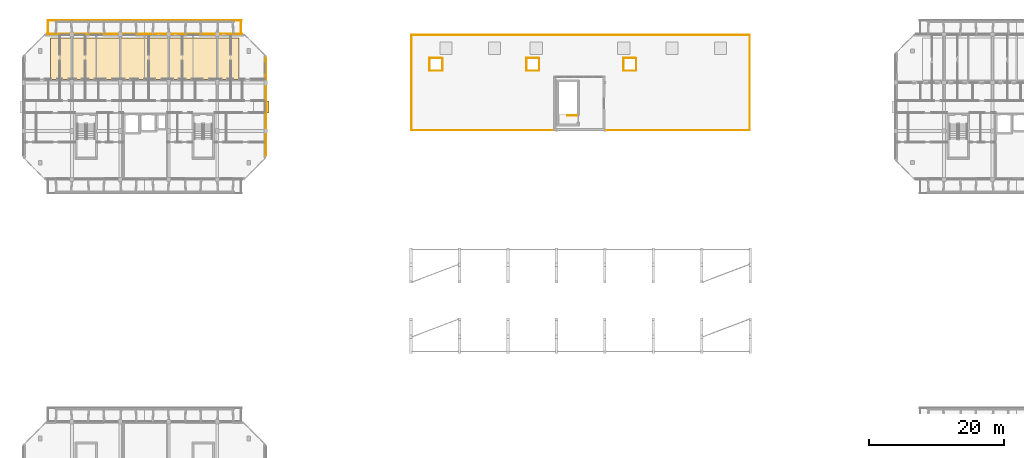
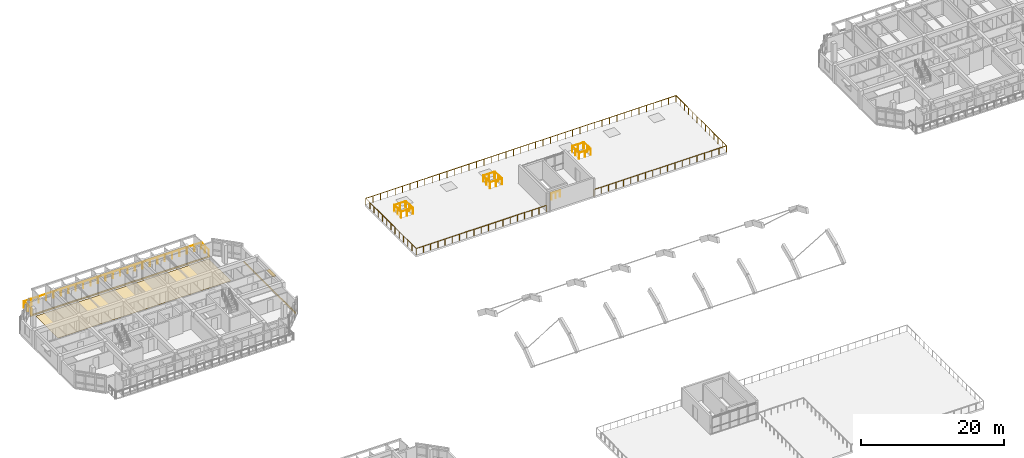
# One storey, part 58 of 64: 11 railings, 3 coverings, 1 shading device.
"""IFC4 building model written with IfcOpenShell, lengths in metres."""

from ifc_helpers import new_model, si_unit, direction, frame, origin, origin_2d, place, context, subcontext, project, spatial, polyline, rectangle, circle, outline, extrude, material, layer, layer_set, type_object, element, save


model = new_model("IFC4")

# Units and contexts
model_context = context("Model", 3, precision=1e-05, world=origin(), true_north=direction((0.0, 1.0)))
body_context = subcontext(model_context, "Body", "Model", "MODEL_VIEW")
ifc_project = project(units=[si_unit("LENGTHUNIT", "METRE"), si_unit("AREAUNIT", "SQUARE_METRE"), si_unit("VOLUMEUNIT", "CUBIC_METRE"), si_unit("PLANEANGLEUNIT", "RADIAN"), si_unit("MASSUNIT", "GRAM", prefix="KILO")], contexts=[model_context])

# Site, building, storey
site_placement = place(None, origin())
site = spatial("IfcSite", under=ifc_project, at=site_placement, CompositionType="ELEMENT")
building_placement = place(site_placement, origin())
building = spatial("IfcBuilding", under=site, at=building_placement, Name="Ochrevale Crest", CompositionType="ELEMENT")
storey_placement = place(building_placement, frame((0.0, 0.0, 8.699951171875)))
storey = spatial("IfcBuildingStorey", under=building, at=storey_placement, Name="L02", CompositionType="ELEMENT", Elevation=8.699951171875)

# Coverings
ifc_material_1 = material(Name="Glazed terracotta rainscreen tile", Category="masonry")
ifc_layer_1 = layer(ifc_material_1, 0.048095703125)
ifc_layer_set_1 = layer_set([ifc_layer_1], Name="Glazed terracotta rainscreen tile")
covering_type_1 = type_object("IfcCoveringType", Name="COV-CLAD-TER", PredefinedType="CLADDING", material=ifc_layer_set_1)
covering_1_placement = place(storey_placement, frame((36.014404296875, 82.800048828125, -0.259765625), z_axis=(0.0, 0.0, 1.0), x_axis=(0.0, 1.0, 0.0)))
element("IfcCovering", 1, at=covering_1_placement, inside=storey, type_object=covering_type_1, Name="Block B L02 terracotta slab-edge spandrel cladding", PredefinedType="CLADDING", context=body_context, shape_type="SweptSolid", body=[
    extrude(rectangle(XDim=14.60009765625, YDim=0.06005859375, at=origin_2d()), origin(), (0.0, 0.0, 1.0), 0.280029296875),
])
covering_2_placement = place(storey_placement, frame((18.0, 93.612548828125, -0.259765625), z_axis=(0.0, 0.0, 1.0), x_axis=(-1.0, 0.0, 0.0)))
element("IfcCovering", 2, at=covering_2_placement, inside=storey, type_object=covering_type_1, Name="Block B L02 terracotta slab-edge spandrel cladding", PredefinedType="CLADDING", context=body_context, shape_type="SweptSolid", body=[
    extrude(rectangle(XDim=29.0, YDim=0.06005859375, at=origin_2d()), origin(), (0.0, 0.0, 1.0), 0.280029296875),
])
ifc_material_2 = material(Name="Engineered spotted-gum hardwood flooring", Category="wood")
ifc_layer_2 = layer(ifc_material_2, 0.02001953125)
ifc_layer_set_2 = layer_set([ifc_layer_2], Name="Engineered spotted-gum hardwood flooring")
covering_type_2 = type_object("IfcCoveringType", Name="COV-FLR-TIM", PredefinedType="FLOORING", material=ifc_layer_set_2)
covering_3_placement = place(storey_placement, origin())
element("IfcCovering", 3, at=covering_3_placement, inside=storey, type_object=covering_type_2, Name="Block B L02 spotted-gum apartment flooring", PredefinedType="FLOORING", context=body_context, shape_type="SweptSolid", body=[
    extrude(outline(polyline([(4.0, 86.800048828125), (32.0, 86.800048828125), (32.0, 93.0), (4.0, 93.0), (4.0, 86.800048828125)])), origin(), (0.0, 0.0, 1.0), 0.02001953125),
])

# Railings
ifc_material_3 = material(Name="Galvanised steel", Category="steel")
railing_type_1 = type_object("IfcRailingType", Name="RL-BAL-1100", PredefinedType="BALUSTRADE", material=ifc_material_3)
railing_1_placement = place(storey_placement, frame((3.60009765625, 95.639892578125, 0.0)))
element("IfcRailing", 4, at=railing_1_placement, inside=storey, type_object=railing_type_1, Name="Block B L02 N balcony front balustrade", PredefinedType="BALUSTRADE", context=body_context, shape_type="SweptSolid", body=[
    extrude(circle(Radius=0.02392578125, at=origin_2d()), frame((0.0, 0.0, 1.0859375), z_axis=(1.0, 0.0, 0.0), x_axis=(0.0, 1.0, 0.0)), (0.0, 0.0, 1.0), 28.7998046875),
    extrude(circle(Radius=0.02099609375, at=origin_2d()), origin(), (0.0, 0.0, 1.0), 1.06201171875),
    extrude(circle(Radius=0.02099609375, at=origin_2d()), frame((1.199951171875, 0.0, 0.0)), (0.0, 0.0, 1.0), 1.06201171875),
    extrude(circle(Radius=0.02099609375, at=origin_2d()), frame((2.39990234375, 0.0, 0.0)), (0.0, 0.0, 1.0), 1.06201171875),
    extrude(circle(Radius=0.02099609375, at=origin_2d()), frame((3.60009765625, 0.0, 0.0)), (0.0, 0.0, 1.0), 1.06201171875),
    extrude(circle(Radius=0.02099609375, at=origin_2d()), frame((4.800048828125, 0.0, 0.0)), (0.0, 0.0, 1.0), 1.06201171875),
    extrude(circle(Radius=0.02099609375, at=origin_2d()), frame((6.0, 0.0, 0.0)), (0.0, 0.0, 1.0), 1.06201171875),
    extrude(circle(Radius=0.02099609375, at=origin_2d()), frame((7.199951171875, 0.0, 0.0)), (0.0, 0.0, 1.0), 1.06201171875),
    extrude(circle(Radius=0.02099609375, at=origin_2d()), frame((8.39990234375, 0.0, 0.0)), (0.0, 0.0, 1.0), 1.06201171875),
    extrude(circle(Radius=0.02099609375, at=origin_2d()), frame((9.599853515625, 0.0, 0.0)), (0.0, 0.0, 1.0), 1.06201171875),
    extrude(circle(Radius=0.02099609375, at=origin_2d()), frame((10.7998046875, 0.0, 0.0)), (0.0, 0.0, 1.0), 1.06201171875),
    extrude(circle(Radius=0.02099609375, at=origin_2d()), frame((12.0, 0.0, 0.0)), (0.0, 0.0, 1.0), 1.06201171875),
    extrude(circle(Radius=0.02099609375, at=origin_2d()), frame((13.199951171875, 0.0, 0.0)), (0.0, 0.0, 1.0), 1.06201171875),
    extrude(circle(Radius=0.02099609375, at=origin_2d()), frame((14.39990234375, 0.0, 0.0)), (0.0, 0.0, 1.0), 1.06201171875),
    extrude(circle(Radius=0.02099609375, at=origin_2d()), frame((15.599853515625, 0.0, 0.0)), (0.0, 0.0, 1.0), 1.06201171875),
    extrude(circle(Radius=0.02099609375, at=origin_2d()), frame((16.7998046875, 0.0, 0.0)), (0.0, 0.0, 1.0), 1.06201171875),
    extrude(circle(Radius=0.02099609375, at=origin_2d()), frame((18.0, 0.0, 0.0)), (0.0, 0.0, 1.0), 1.06201171875),
    extrude(circle(Radius=0.02099609375, at=origin_2d()), frame((19.199951171875, 0.0, 0.0)), (0.0, 0.0, 1.0), 1.06201171875),
    extrude(circle(Radius=0.02099609375, at=origin_2d()), frame((20.39990234375, 0.0, 0.0)), (0.0, 0.0, 1.0), 1.06201171875),
    extrude(circle(Radius=0.02099609375, at=origin_2d()), frame((21.599853515625, 0.0, 0.0)), (0.0, 0.0, 1.0), 1.06201171875),
    extrude(circle(Radius=0.02099609375, at=origin_2d()), frame((22.7998046875, 0.0, 0.0)), (0.0, 0.0, 1.0), 1.06201171875),
    extrude(circle(Radius=0.02099609375, at=origin_2d()), frame((23.999755859375, 0.0, 0.0)), (0.0, 0.0, 1.0), 1.06201171875),
    extrude(circle(Radius=0.02099609375, at=origin_2d()), frame((25.19970703125, 0.0, 0.0)), (0.0, 0.0, 1.0), 1.06201171875),
    extrude(circle(Radius=0.02099609375, at=origin_2d()), frame((26.39990234375, 0.0, 0.0)), (0.0, 0.0, 1.0), 1.06201171875),
    extrude(circle(Radius=0.02099609375, at=origin_2d()), frame((27.599853515625, 0.0, 0.0)), (0.0, 0.0, 1.0), 1.06201171875),
    extrude(circle(Radius=0.02099609375, at=origin_2d()), frame((28.7998046875, 0.0, 0.0)), (0.0, 0.0, 1.0), 1.06201171875),
])
for number, where, name in (
    (5, (3.659912109375, 93.60009765625, 0.0), "Block B L02 N-W balcony side guard"),
    (6, (32.340087890625, 93.60009765625, 0.0), "Block B L02 N-E balcony side guard"),
):
    element("IfcRailing", number, at=place(storey_placement, frame(where)), inside=storey, type_object=railing_type_1, Name=name, PredefinedType="BALUSTRADE", context=body_context, shape_type="SweptSolid", body=[
        extrude(circle(Radius=0.02392578125, at=origin_2d()), frame((0.0, 0.0, 1.0859375), z_axis=(0.0, 1.0, 0.0), x_axis=(-1.0, 0.0, 0.0)), (0.0, 0.0, 1.0), 2.039794921875),
        extrude(circle(Radius=0.02099609375, at=origin_2d()), origin(), (0.0, 0.0, 1.0), 1.06201171875),
        extrude(circle(Radius=0.02099609375, at=origin_2d()), frame((0.0, 1.02001953125, 0.0)), (0.0, 0.0, 1.0), 1.06201171875),
        extrude(circle(Radius=0.02099609375, at=origin_2d()), frame((0.0, 2.039794921875, 0.0)), (0.0, 0.0, 1.0), 1.06201171875),
    ])
railing_type_2 = type_object("IfcRailingType", Name="RL-ST-GUARD", PredefinedType="BALUSTRADE", material=ifc_material_3)
railing_2_placement = place(storey_placement, frame((82.25, 81.52490234375, 0.0)))
element("IfcRailing", 7, at=railing_2_placement, inside=storey, type_object=railing_type_2, Name="L02 ST-N1 top well guard 1", PredefinedType="BALUSTRADE", context=body_context, shape_type="SweptSolid", body=[
    extrude(circle(Radius=0.02392578125, at=origin_2d()), frame((0.0, 0.0, 1.076171875), z_axis=(-1.0, 0.0, 0.0), x_axis=(0.0, -1.0, 0.0)), (0.0, 0.0, 1.0), 1.39990234375),
    extrude(circle(Radius=0.02099609375, at=origin_2d()), origin(), (0.0, 0.0, 1.0), 1.052001953125),
    extrude(circle(Radius=0.02099609375, at=origin_2d()), frame((-0.699951171875, 0.0, 0.0)), (0.0, 0.0, 1.0), 1.052001953125),
    extrude(circle(Radius=0.02099609375, at=origin_2d()), frame((-1.39990234375, 0.0, 0.0)), (0.0, 0.0, 1.0), 1.052001953125),
])
railing_type_3 = type_object("IfcRailingType", Name="RL-TER-1120", PredefinedType="BALUSTRADE", material=ifc_material_3)
railing_3_placement = place(storey_placement, frame((60.35009765625, 88.14990234375, 0.0)))
element("IfcRailing", 8, at=railing_3_placement, inside=storey, type_object=railing_type_3, Name="Nursery roof-garden lightwell guard 1A", PredefinedType="BALUSTRADE", context=body_context, shape_type="SweptSolid", body=[
    extrude(circle(Radius=0.02392578125, at=origin_2d()), frame((0.0, 0.0, 1.09619140625), z_axis=(1.0, 0.0, 0.0), x_axis=(0.0, 1.0, 0.0)), (0.0, 0.0, 1.0), 1.89990234375),
    extrude(circle(Radius=0.02392578125, at=origin_2d()), frame((1.89990234375, 0.0, 1.09619140625), z_axis=(0.0, 1.0, 0.0), x_axis=(-1.0, 0.0, 0.0)), (0.0, 0.0, 1.0), 1.85009765625),
    extrude(circle(Radius=0.02099609375, at=origin_2d()), origin(), (0.0, 0.0, 1.0), 1.072021484375),
    extrude(circle(Radius=0.02099609375, at=origin_2d()), frame((0.949951171875, 0.0, 0.0)), (0.0, 0.0, 1.0), 1.072021484375),
    extrude(circle(Radius=0.02099609375, at=origin_2d()), frame((1.89990234375, 0.0, 0.0)), (0.0, 0.0, 1.0), 1.072021484375),
    extrude(circle(Radius=0.02099609375, at=origin_2d()), frame((1.89990234375, 0.925048828125, 0.0)), (0.0, 0.0, 1.0), 1.072021484375),
    extrude(circle(Radius=0.02099609375, at=origin_2d()), frame((1.89990234375, 1.85009765625, 0.0)), (0.0, 0.0, 1.0), 1.072021484375),
])
railing_4_placement = place(storey_placement, frame((62.169921875, 90.050048828125, 0.0)))
element("IfcRailing", 9, at=railing_4_placement, inside=storey, type_object=railing_type_3, Name="Nursery roof-garden lightwell guard 1B", PredefinedType="BALUSTRADE", context=body_context, shape_type="SweptSolid", body=[
    extrude(circle(Radius=0.02392578125, at=origin_2d()), frame((0.0, 0.0, 1.09619140625), z_axis=(-1.0, 0.0, 0.0), x_axis=(0.0, -1.0, 0.0)), (0.0, 0.0, 1.0), 1.81982421875),
    extrude(circle(Radius=0.02392578125, at=origin_2d()), frame((-1.81982421875, 0.0, 1.09619140625), z_axis=(0.0, -1.0, 0.0), x_axis=(1.0, 0.0, 0.0)), (0.0, 0.0, 1.0), 1.820068359375),
    extrude(circle(Radius=0.02099609375, at=origin_2d()), origin(), (0.0, 0.0, 1.0), 1.072021484375),
    extrude(circle(Radius=0.02099609375, at=origin_2d()), frame((-0.909912109375, 0.0, 0.0)), (0.0, 0.0, 1.0), 1.072021484375),
    extrude(circle(Radius=0.02099609375, at=origin_2d()), frame((-1.81982421875, 0.0, 0.0)), (0.0, 0.0, 1.0), 1.072021484375),
    extrude(circle(Radius=0.02099609375, at=origin_2d()), frame((-1.81982421875, -0.91015625, 0.0)), (0.0, 0.0, 1.0), 1.072021484375),
    extrude(circle(Radius=0.02099609375, at=origin_2d()), frame((-1.81982421875, -1.820068359375, 0.0)), (0.0, 0.0, 1.0), 1.072021484375),
])
railing_5_placement = place(storey_placement, frame((74.75, 88.14990234375, 0.0)))
element("IfcRailing", 10, at=railing_5_placement, inside=storey, type_object=railing_type_3, Name="Nursery roof-garden lightwell guard 2A", PredefinedType="BALUSTRADE", context=body_context, shape_type="SweptSolid", body=[
    extrude(circle(Radius=0.02392578125, at=origin_2d()), frame((0.0, 0.0, 1.09619140625), z_axis=(1.0, 0.0, 0.0), x_axis=(0.0, 1.0, 0.0)), (0.0, 0.0, 1.0), 1.89990234375),
    extrude(circle(Radius=0.02392578125, at=origin_2d()), frame((1.89990234375, 0.0, 1.09619140625), z_axis=(0.0, 1.0, 0.0), x_axis=(-1.0, 0.0, 0.0)), (0.0, 0.0, 1.0), 1.85009765625),
    extrude(circle(Radius=0.02099609375, at=origin_2d()), origin(), (0.0, 0.0, 1.0), 1.072021484375),
    extrude(circle(Radius=0.02099609375, at=origin_2d()), frame((0.949951171875, 0.0, 0.0)), (0.0, 0.0, 1.0), 1.072021484375),
    extrude(circle(Radius=0.02099609375, at=origin_2d()), frame((1.89990234375, 0.0, 0.0)), (0.0, 0.0, 1.0), 1.072021484375),
    extrude(circle(Radius=0.02099609375, at=origin_2d()), frame((1.89990234375, 0.925048828125, 0.0)), (0.0, 0.0, 1.0), 1.072021484375),
    extrude(circle(Radius=0.02099609375, at=origin_2d()), frame((1.89990234375, 1.85009765625, 0.0)), (0.0, 0.0, 1.0), 1.072021484375),
])
railing_6_placement = place(storey_placement, frame((76.570068359375, 90.050048828125, 0.0)))
element("IfcRailing", 11, at=railing_6_placement, inside=storey, type_object=railing_type_3, Name="Nursery roof-garden lightwell guard 2B", PredefinedType="BALUSTRADE", context=body_context, shape_type="SweptSolid", body=[
    extrude(circle(Radius=0.02392578125, at=origin_2d()), frame((0.0, 0.0, 1.09619140625), z_axis=(-1.0, 0.0, 0.0), x_axis=(0.0, -1.0, 0.0)), (0.0, 0.0, 1.0), 1.820068359375),
    extrude(circle(Radius=0.02392578125, at=origin_2d()), frame((-1.820068359375, 0.0, 1.09619140625), z_axis=(0.0, -1.0, 0.0), x_axis=(1.0, 0.0, 0.0)), (0.0, 0.0, 1.0), 1.820068359375),
    extrude(circle(Radius=0.02099609375, at=origin_2d()), origin(), (0.0, 0.0, 1.0), 1.072021484375),
    extrude(circle(Radius=0.02099609375, at=origin_2d()), frame((-0.91015625, 0.0, 0.0)), (0.0, 0.0, 1.0), 1.072021484375),
    extrude(circle(Radius=0.02099609375, at=origin_2d()), frame((-1.820068359375, 0.0, 0.0)), (0.0, 0.0, 1.0), 1.072021484375),
    extrude(circle(Radius=0.02099609375, at=origin_2d()), frame((-1.820068359375, -0.91015625, 0.0)), (0.0, 0.0, 1.0), 1.072021484375),
    extrude(circle(Radius=0.02099609375, at=origin_2d()), frame((-1.820068359375, -1.820068359375, 0.0)), (0.0, 0.0, 1.0), 1.072021484375),
])
railing_7_placement = place(storey_placement, frame((89.14990234375, 88.14990234375, 0.0)))
element("IfcRailing", 12, at=railing_7_placement, inside=storey, type_object=railing_type_3, Name="Nursery roof-garden lightwell guard 3A", PredefinedType="BALUSTRADE", context=body_context, shape_type="SweptSolid", body=[
    extrude(circle(Radius=0.02392578125, at=origin_2d()), frame((0.0, 0.0, 1.09619140625), z_axis=(1.0, 0.0, 0.0), x_axis=(0.0, 1.0, 0.0)), (0.0, 0.0, 1.0), 1.900146484375),
    extrude(circle(Radius=0.02392578125, at=origin_2d()), frame((1.900146484375, 0.0, 1.09619140625), z_axis=(0.0, 1.0, 0.0), x_axis=(-1.0, 0.0, 0.0)), (0.0, 0.0, 1.0), 1.85009765625),
    extrude(circle(Radius=0.02099609375, at=origin_2d()), origin(), (0.0, 0.0, 1.0), 1.072021484375),
    extrude(circle(Radius=0.02099609375, at=origin_2d()), frame((0.9501953125, 0.0, 0.0)), (0.0, 0.0, 1.0), 1.072021484375),
    extrude(circle(Radius=0.02099609375, at=origin_2d()), frame((1.900146484375, 0.0, 0.0)), (0.0, 0.0, 1.0), 1.072021484375),
    extrude(circle(Radius=0.02099609375, at=origin_2d()), frame((1.900146484375, 0.925048828125, 0.0)), (0.0, 0.0, 1.0), 1.072021484375),
    extrude(circle(Radius=0.02099609375, at=origin_2d()), frame((1.900146484375, 1.85009765625, 0.0)), (0.0, 0.0, 1.0), 1.072021484375),
])
railing_8_placement = place(storey_placement, frame((90.969970703125, 90.050048828125, 0.0)))
element("IfcRailing", 13, at=railing_8_placement, inside=storey, type_object=railing_type_3, Name="Nursery roof-garden lightwell guard 3B", PredefinedType="BALUSTRADE", context=body_context, shape_type="SweptSolid", body=[
    extrude(circle(Radius=0.02392578125, at=origin_2d()), frame((0.0, 0.0, 1.09619140625), z_axis=(-1.0, 0.0, 0.0), x_axis=(0.0, -1.0, 0.0)), (0.0, 0.0, 1.0), 1.820068359375),
    extrude(circle(Radius=0.02392578125, at=origin_2d()), frame((-1.820068359375, 0.0, 1.09619140625), z_axis=(0.0, -1.0, 0.0), x_axis=(1.0, 0.0, 0.0)), (0.0, 0.0, 1.0), 1.820068359375),
    extrude(circle(Radius=0.02099609375, at=origin_2d()), origin(), (0.0, 0.0, 1.0), 1.072021484375),
    extrude(circle(Radius=0.02099609375, at=origin_2d()), frame((-0.91015625, 0.0, 0.0)), (0.0, 0.0, 1.0), 1.072021484375),
    extrude(circle(Radius=0.02099609375, at=origin_2d()), frame((-1.820068359375, 0.0, 0.0)), (0.0, 0.0, 1.0), 1.072021484375),
    extrude(circle(Radius=0.02099609375, at=origin_2d()), frame((-1.820068359375, -0.91015625, 0.0)), (0.0, 0.0, 1.0), 1.072021484375),
    extrude(circle(Radius=0.02099609375, at=origin_2d()), frame((-1.820068359375, -1.820068359375, 0.0)), (0.0, 0.0, 1.0), 1.072021484375),
])
railing_9_placement = place(storey_placement, frame((78.75, 79.320068359375, 0.0)))
element("IfcRailing", 14, at=railing_9_placement, inside=storey, type_object=railing_type_3, Name="North planted roof garden perimeter balustrade", PredefinedType="BALUSTRADE", context=body_context, shape_type="SweptSolid", body=[
    extrude(circle(Radius=0.02392578125, at=origin_2d()), frame((0.0, 0.0, 1.09619140625), z_axis=(-1.0, 0.0, 0.0), x_axis=(0.0, -1.0, 0.0)), (0.0, 0.0, 1.0), 21.070068359375),
    extrude(circle(Radius=0.02392578125, at=origin_2d()), frame((-21.070068359375, 0.0, 1.09619140625), z_axis=(0.0, 1.0, 0.0), x_axis=(-1.0, 0.0, 0.0)), (0.0, 0.0, 1.0), 14.159912109375),
    extrude(circle(Radius=0.02392578125, at=origin_2d()), frame((-21.070068359375, 14.159912109375, 1.09619140625), z_axis=(1.0, 0.0, 0.0), x_axis=(0.0, 1.0, 0.0)), (0.0, 0.0, 1.0), 50.239990234375),
    extrude(circle(Radius=0.02392578125, at=origin_2d()), frame((29.169921875, 14.159912109375, 1.09619140625), z_axis=(0.0, -1.0, 0.0), x_axis=(1.0, 0.0, 0.0)), (0.0, 0.0, 1.0), 14.159912109375),
    extrude(circle(Radius=0.02392578125, at=origin_2d()), frame((29.169921875, 0.0, 1.09619140625), z_axis=(-1.0, 0.0, 0.0), x_axis=(0.0, -1.0, 0.0)), (0.0, 0.0, 1.0), 21.469970703125),
    extrude(circle(Radius=0.02099609375, at=origin_2d()), origin(), (0.0, 0.0, 1.0), 1.072021484375),
    extrude(circle(Radius=0.02099609375, at=origin_2d()), frame((-1.170654296875, 0.0, 0.0)), (0.0, 0.0, 1.0), 1.072021484375),
    extrude(circle(Radius=0.02099609375, at=origin_2d()), frame((-2.341064453125, 0.0, 0.0)), (0.0, 0.0, 1.0), 1.072021484375),
    extrude(circle(Radius=0.02099609375, at=origin_2d()), frame((-3.51171875, 0.0, 0.0)), (0.0, 0.0, 1.0), 1.072021484375),
    extrude(circle(Radius=0.02099609375, at=origin_2d()), frame((-4.68212890625, 0.0, 0.0)), (0.0, 0.0, 1.0), 1.072021484375),
    extrude(circle(Radius=0.02099609375, at=origin_2d()), frame((-5.852783203125, 0.0, 0.0)), (0.0, 0.0, 1.0), 1.072021484375),
    extrude(circle(Radius=0.02099609375, at=origin_2d()), frame((-7.0234375, 0.0, 0.0)), (0.0, 0.0, 1.0), 1.072021484375),
    extrude(circle(Radius=0.02099609375, at=origin_2d()), frame((-8.19384765625, 0.0, 0.0)), (0.0, 0.0, 1.0), 1.072021484375),
    extrude(circle(Radius=0.02099609375, at=origin_2d()), frame((-9.364501953125, 0.0, 0.0)), (0.0, 0.0, 1.0), 1.072021484375),
    extrude(circle(Radius=0.02099609375, at=origin_2d()), frame((-10.53515625, 0.0, 0.0)), (0.0, 0.0, 1.0), 1.072021484375),
    extrude(circle(Radius=0.02099609375, at=origin_2d()), frame((-11.70556640625, 0.0, 0.0)), (0.0, 0.0, 1.0), 1.072021484375),
    extrude(circle(Radius=0.02099609375, at=origin_2d()), frame((-12.876220703125, 0.0, 0.0)), (0.0, 0.0, 1.0), 1.072021484375),
    extrude(circle(Radius=0.02099609375, at=origin_2d()), frame((-14.046630859375, 0.0, 0.0)), (0.0, 0.0, 1.0), 1.072021484375),
    extrude(circle(Radius=0.02099609375, at=origin_2d()), frame((-15.21728515625, 0.0, 0.0)), (0.0, 0.0, 1.0), 1.072021484375),
    extrude(circle(Radius=0.02099609375, at=origin_2d()), frame((-16.387939453125, 0.0, 0.0)), (0.0, 0.0, 1.0), 1.072021484375),
    extrude(circle(Radius=0.02099609375, at=origin_2d()), frame((-17.558349609375, 0.0, 0.0)), (0.0, 0.0, 1.0), 1.072021484375),
    extrude(circle(Radius=0.02099609375, at=origin_2d()), frame((-18.72900390625, 0.0, 0.0)), (0.0, 0.0, 1.0), 1.072021484375),
    extrude(circle(Radius=0.02099609375, at=origin_2d()), frame((-19.8994140625, 0.0, 0.0)), (0.0, 0.0, 1.0), 1.072021484375),
    extrude(circle(Radius=0.02099609375, at=origin_2d()), frame((-21.070068359375, 0.0, 0.0)), (0.0, 0.0, 1.0), 1.072021484375),
    extrude(circle(Radius=0.02099609375, at=origin_2d()), frame((-21.070068359375, 1.179931640625, 0.0)), (0.0, 0.0, 1.0), 1.072021484375),
    extrude(circle(Radius=0.02099609375, at=origin_2d()), frame((-21.070068359375, 2.35986328125, 0.0)), (0.0, 0.0, 1.0), 1.072021484375),
    extrude(circle(Radius=0.02099609375, at=origin_2d()), frame((-21.070068359375, 3.5400390625, 0.0)), (0.0, 0.0, 1.0), 1.072021484375),
    extrude(circle(Radius=0.02099609375, at=origin_2d()), frame((-21.070068359375, 4.719970703125, 0.0)), (0.0, 0.0, 1.0), 1.072021484375),
    extrude(circle(Radius=0.02099609375, at=origin_2d()), frame((-21.070068359375, 5.89990234375, 0.0)), (0.0, 0.0, 1.0), 1.072021484375),
    extrude(circle(Radius=0.02099609375, at=origin_2d()), frame((-21.070068359375, 7.080078125, 0.0)), (0.0, 0.0, 1.0), 1.072021484375),
    extrude(circle(Radius=0.02099609375, at=origin_2d()), frame((-21.070068359375, 8.260009765625, 0.0)), (0.0, 0.0, 1.0), 1.072021484375),
    extrude(circle(Radius=0.02099609375, at=origin_2d()), frame((-21.070068359375, 9.43994140625, 0.0)), (0.0, 0.0, 1.0), 1.072021484375),
    extrude(circle(Radius=0.02099609375, at=origin_2d()), frame((-21.070068359375, 10.619873046875, 0.0)), (0.0, 0.0, 1.0), 1.072021484375),
    extrude(circle(Radius=0.02099609375, at=origin_2d()), frame((-21.070068359375, 11.7998046875, 0.0)), (0.0, 0.0, 1.0), 1.072021484375),
    extrude(circle(Radius=0.02099609375, at=origin_2d()), frame((-21.070068359375, 12.97998046875, 0.0)), (0.0, 0.0, 1.0), 1.072021484375),
    extrude(circle(Radius=0.02099609375, at=origin_2d()), frame((-21.070068359375, 14.159912109375, 0.0)), (0.0, 0.0, 1.0), 1.072021484375),
    extrude(circle(Radius=0.02099609375, at=origin_2d()), frame((-19.873779296875, 14.159912109375, 0.0)), (0.0, 0.0, 1.0), 1.072021484375),
    extrude(circle(Radius=0.02099609375, at=origin_2d()), frame((-18.677734375, 14.159912109375, 0.0)), (0.0, 0.0, 1.0), 1.072021484375),
    extrude(circle(Radius=0.02099609375, at=origin_2d()), frame((-17.4814453125, 14.159912109375, 0.0)), (0.0, 0.0, 1.0), 1.072021484375),
    extrude(circle(Radius=0.02099609375, at=origin_2d()), frame((-16.285400390625, 14.159912109375, 0.0)), (0.0, 0.0, 1.0), 1.072021484375),
    extrude(circle(Radius=0.02099609375, at=origin_2d()), frame((-15.089111328125, 14.159912109375, 0.0)), (0.0, 0.0, 1.0), 1.072021484375),
    extrude(circle(Radius=0.02099609375, at=origin_2d()), frame((-13.892822265625, 14.159912109375, 0.0)), (0.0, 0.0, 1.0), 1.072021484375),
    extrude(circle(Radius=0.02099609375, at=origin_2d()), frame((-12.69677734375, 14.159912109375, 0.0)), (0.0, 0.0, 1.0), 1.072021484375),
    extrude(circle(Radius=0.02099609375, at=origin_2d()), frame((-11.50048828125, 14.159912109375, 0.0)), (0.0, 0.0, 1.0), 1.072021484375),
    extrude(circle(Radius=0.02099609375, at=origin_2d()), frame((-10.304443359375, 14.159912109375, 0.0)), (0.0, 0.0, 1.0), 1.072021484375),
    extrude(circle(Radius=0.02099609375, at=origin_2d()), frame((-9.108154296875, 14.159912109375, 0.0)), (0.0, 0.0, 1.0), 1.072021484375),
    extrude(circle(Radius=0.02099609375, at=origin_2d()), frame((-7.911865234375, 14.159912109375, 0.0)), (0.0, 0.0, 1.0), 1.072021484375),
    extrude(circle(Radius=0.02099609375, at=origin_2d()), frame((-6.7158203125, 14.159912109375, 0.0)), (0.0, 0.0, 1.0), 1.072021484375),
    extrude(circle(Radius=0.02099609375, at=origin_2d()), frame((-5.51953125, 14.159912109375, 0.0)), (0.0, 0.0, 1.0), 1.072021484375),
    extrude(circle(Radius=0.02099609375, at=origin_2d()), frame((-4.323486328125, 14.159912109375, 0.0)), (0.0, 0.0, 1.0), 1.072021484375),
    extrude(circle(Radius=0.02099609375, at=origin_2d()), frame((-3.127197265625, 14.159912109375, 0.0)), (0.0, 0.0, 1.0), 1.072021484375),
    extrude(circle(Radius=0.02099609375, at=origin_2d()), frame((-1.930908203125, 14.159912109375, 0.0)), (0.0, 0.0, 1.0), 1.072021484375),
    extrude(circle(Radius=0.02099609375, at=origin_2d()), frame((-0.73486328125, 14.159912109375, 0.0)), (0.0, 0.0, 1.0), 1.072021484375),
    extrude(circle(Radius=0.02099609375, at=origin_2d()), frame((0.46142578125, 14.159912109375, 0.0)), (0.0, 0.0, 1.0), 1.072021484375),
    extrude(circle(Radius=0.02099609375, at=origin_2d()), frame((1.657470703125, 14.159912109375, 0.0)), (0.0, 0.0, 1.0), 1.072021484375),
    extrude(circle(Radius=0.02099609375, at=origin_2d()), frame((2.853759765625, 14.159912109375, 0.0)), (0.0, 0.0, 1.0), 1.072021484375),
    extrude(circle(Radius=0.02099609375, at=origin_2d()), frame((4.0498046875, 14.159912109375, 0.0)), (0.0, 0.0, 1.0), 1.072021484375),
    extrude(circle(Radius=0.02099609375, at=origin_2d()), frame((5.24609375, 14.159912109375, 0.0)), (0.0, 0.0, 1.0), 1.072021484375),
    extrude(circle(Radius=0.02099609375, at=origin_2d()), frame((6.4423828125, 14.159912109375, 0.0)), (0.0, 0.0, 1.0), 1.072021484375),
    extrude(circle(Radius=0.02099609375, at=origin_2d()), frame((7.638427734375, 14.159912109375, 0.0)), (0.0, 0.0, 1.0), 1.072021484375),
    extrude(circle(Radius=0.02099609375, at=origin_2d()), frame((8.834716796875, 14.159912109375, 0.0)), (0.0, 0.0, 1.0), 1.072021484375),
    extrude(circle(Radius=0.02099609375, at=origin_2d()), frame((10.03076171875, 14.159912109375, 0.0)), (0.0, 0.0, 1.0), 1.072021484375),
    extrude(circle(Radius=0.02099609375, at=origin_2d()), frame((11.22705078125, 14.159912109375, 0.0)), (0.0, 0.0, 1.0), 1.072021484375),
    extrude(circle(Radius=0.02099609375, at=origin_2d()), frame((12.42333984375, 14.159912109375, 0.0)), (0.0, 0.0, 1.0), 1.072021484375),
    extrude(circle(Radius=0.02099609375, at=origin_2d()), frame((13.619384765625, 14.159912109375, 0.0)), (0.0, 0.0, 1.0), 1.072021484375),
    extrude(circle(Radius=0.02099609375, at=origin_2d()), frame((14.815673828125, 14.159912109375, 0.0)), (0.0, 0.0, 1.0), 1.072021484375),
    extrude(circle(Radius=0.02099609375, at=origin_2d()), frame((16.01171875, 14.159912109375, 0.0)), (0.0, 0.0, 1.0), 1.072021484375),
    extrude(circle(Radius=0.02099609375, at=origin_2d()), frame((17.2080078125, 14.159912109375, 0.0)), (0.0, 0.0, 1.0), 1.072021484375),
    extrude(circle(Radius=0.02099609375, at=origin_2d()), frame((18.404296875, 14.159912109375, 0.0)), (0.0, 0.0, 1.0), 1.072021484375),
    extrude(circle(Radius=0.02099609375, at=origin_2d()), frame((19.600341796875, 14.159912109375, 0.0)), (0.0, 0.0, 1.0), 1.072021484375),
    extrude(circle(Radius=0.02099609375, at=origin_2d()), frame((20.796630859375, 14.159912109375, 0.0)), (0.0, 0.0, 1.0), 1.072021484375),
    extrude(circle(Radius=0.02099609375, at=origin_2d()), frame((21.99267578125, 14.159912109375, 0.0)), (0.0, 0.0, 1.0), 1.072021484375),
    extrude(circle(Radius=0.02099609375, at=origin_2d()), frame((23.18896484375, 14.159912109375, 0.0)), (0.0, 0.0, 1.0), 1.072021484375),
    extrude(circle(Radius=0.02099609375, at=origin_2d()), frame((24.38525390625, 14.159912109375, 0.0)), (0.0, 0.0, 1.0), 1.072021484375),
    extrude(circle(Radius=0.02099609375, at=origin_2d()), frame((25.581298828125, 14.159912109375, 0.0)), (0.0, 0.0, 1.0), 1.072021484375),
    extrude(circle(Radius=0.02099609375, at=origin_2d()), frame((26.777587890625, 14.159912109375, 0.0)), (0.0, 0.0, 1.0), 1.072021484375),
    extrude(circle(Radius=0.02099609375, at=origin_2d()), frame((27.9736328125, 14.159912109375, 0.0)), (0.0, 0.0, 1.0), 1.072021484375),
    extrude(circle(Radius=0.02099609375, at=origin_2d()), frame((29.169921875, 14.159912109375, 0.0)), (0.0, 0.0, 1.0), 1.072021484375),
    extrude(circle(Radius=0.02099609375, at=origin_2d()), frame((29.169921875, 12.97998046875, 0.0)), (0.0, 0.0, 1.0), 1.072021484375),
    extrude(circle(Radius=0.02099609375, at=origin_2d()), frame((29.169921875, 11.7998046875, 0.0)), (0.0, 0.0, 1.0), 1.072021484375),
    extrude(circle(Radius=0.02099609375, at=origin_2d()), frame((29.169921875, 10.619873046875, 0.0)), (0.0, 0.0, 1.0), 1.072021484375),
    extrude(circle(Radius=0.02099609375, at=origin_2d()), frame((29.169921875, 9.43994140625, 0.0)), (0.0, 0.0, 1.0), 1.072021484375),
    extrude(circle(Radius=0.02099609375, at=origin_2d()), frame((29.169921875, 8.260009765625, 0.0)), (0.0, 0.0, 1.0), 1.072021484375),
    extrude(circle(Radius=0.02099609375, at=origin_2d()), frame((29.169921875, 7.080078125, 0.0)), (0.0, 0.0, 1.0), 1.072021484375),
    extrude(circle(Radius=0.02099609375, at=origin_2d()), frame((29.169921875, 5.89990234375, 0.0)), (0.0, 0.0, 1.0), 1.072021484375),
    extrude(circle(Radius=0.02099609375, at=origin_2d()), frame((29.169921875, 4.719970703125, 0.0)), (0.0, 0.0, 1.0), 1.072021484375),
    extrude(circle(Radius=0.02099609375, at=origin_2d()), frame((29.169921875, 3.5400390625, 0.0)), (0.0, 0.0, 1.0), 1.072021484375),
    extrude(circle(Radius=0.02099609375, at=origin_2d()), frame((29.169921875, 2.35986328125, 0.0)), (0.0, 0.0, 1.0), 1.072021484375),
    extrude(circle(Radius=0.02099609375, at=origin_2d()), frame((29.169921875, 1.179931640625, 0.0)), (0.0, 0.0, 1.0), 1.072021484375),
    extrude(circle(Radius=0.02099609375, at=origin_2d()), frame((29.169921875, 0.0, 0.0)), (0.0, 0.0, 1.0), 1.072021484375),
    extrude(circle(Radius=0.02099609375, at=origin_2d()), frame((27.97705078125, 0.0, 0.0)), (0.0, 0.0, 1.0), 1.072021484375),
    extrude(circle(Radius=0.02099609375, at=origin_2d()), frame((26.784423828125, 0.0, 0.0)), (0.0, 0.0, 1.0), 1.072021484375),
    extrude(circle(Radius=0.02099609375, at=origin_2d()), frame((25.591552734375, 0.0, 0.0)), (0.0, 0.0, 1.0), 1.072021484375),
    extrude(circle(Radius=0.02099609375, at=origin_2d()), frame((24.39892578125, 0.0, 0.0)), (0.0, 0.0, 1.0), 1.072021484375),
    extrude(circle(Radius=0.02099609375, at=origin_2d()), frame((23.2060546875, 0.0, 0.0)), (0.0, 0.0, 1.0), 1.072021484375),
    extrude(circle(Radius=0.02099609375, at=origin_2d()), frame((22.01318359375, 0.0, 0.0)), (0.0, 0.0, 1.0), 1.072021484375),
    extrude(circle(Radius=0.02099609375, at=origin_2d()), frame((20.820556640625, 0.0, 0.0)), (0.0, 0.0, 1.0), 1.072021484375),
    extrude(circle(Radius=0.02099609375, at=origin_2d()), frame((19.627685546875, 0.0, 0.0)), (0.0, 0.0, 1.0), 1.072021484375),
    extrude(circle(Radius=0.02099609375, at=origin_2d()), frame((18.43505859375, 0.0, 0.0)), (0.0, 0.0, 1.0), 1.072021484375),
    extrude(circle(Radius=0.02099609375, at=origin_2d()), frame((17.2421875, 0.0, 0.0)), (0.0, 0.0, 1.0), 1.072021484375),
    extrude(circle(Radius=0.02099609375, at=origin_2d()), frame((16.04931640625, 0.0, 0.0)), (0.0, 0.0, 1.0), 1.072021484375),
    extrude(circle(Radius=0.02099609375, at=origin_2d()), frame((14.856689453125, 0.0, 0.0)), (0.0, 0.0, 1.0), 1.072021484375),
    extrude(circle(Radius=0.02099609375, at=origin_2d()), frame((13.663818359375, 0.0, 0.0)), (0.0, 0.0, 1.0), 1.072021484375),
    extrude(circle(Radius=0.02099609375, at=origin_2d()), frame((12.470947265625, 0.0, 0.0)), (0.0, 0.0, 1.0), 1.072021484375),
    extrude(circle(Radius=0.02099609375, at=origin_2d()), frame((11.2783203125, 0.0, 0.0)), (0.0, 0.0, 1.0), 1.072021484375),
    extrude(circle(Radius=0.02099609375, at=origin_2d()), frame((10.08544921875, 0.0, 0.0)), (0.0, 0.0, 1.0), 1.072021484375),
    extrude(circle(Radius=0.02099609375, at=origin_2d()), frame((8.892822265625, 0.0, 0.0)), (0.0, 0.0, 1.0), 1.072021484375),
    extrude(circle(Radius=0.02099609375, at=origin_2d()), frame((7.699951171875, 0.0, 0.0)), (0.0, 0.0, 1.0), 1.072021484375),
])

# Shading device
ifc_material_4 = material(Name="Anodised aluminium 6063-T5", Category="aluminium")
shading_device_type = type_object("IfcShadingDeviceType", Name="SHD-SUNSHADE-OC", PredefinedType="USERDEFINED", material=ifc_material_4)
shading_device_placement = place(storey_placement, frame((36.239990234375, 82.800048828125, 2.2099609375), z_axis=(0.0, 0.0, 1.0), x_axis=(1.0, 0.0, 0.0)))
element("IfcShadingDevice", 15, at=shading_device_placement, inside=storey, type_object=shading_device_type, Name="Block B L02 gable window sunshade E", ObjectType="HORIZONTAL SUNSHADE", PredefinedType="USERDEFINED", context=body_context, shape_type="SweptSolid", body=[
    extrude(rectangle(XDim=0.550048828125, YDim=1.800048828125, at=origin_2d()), origin(), (0.0, 0.0, 1.0), 0.139892578125),
])

save(model, "model.ifc")
